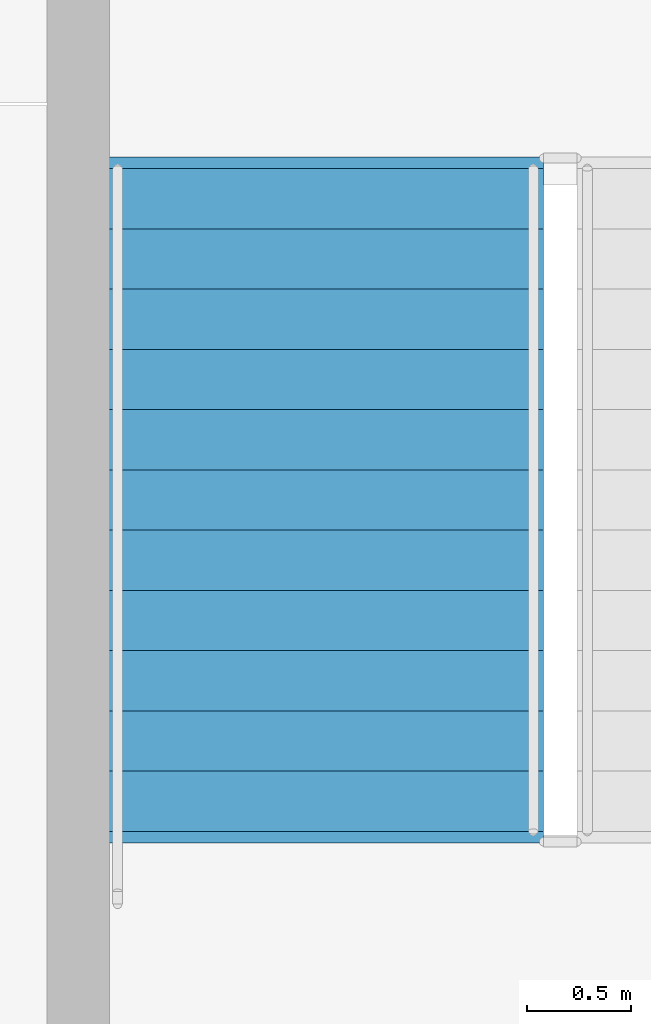
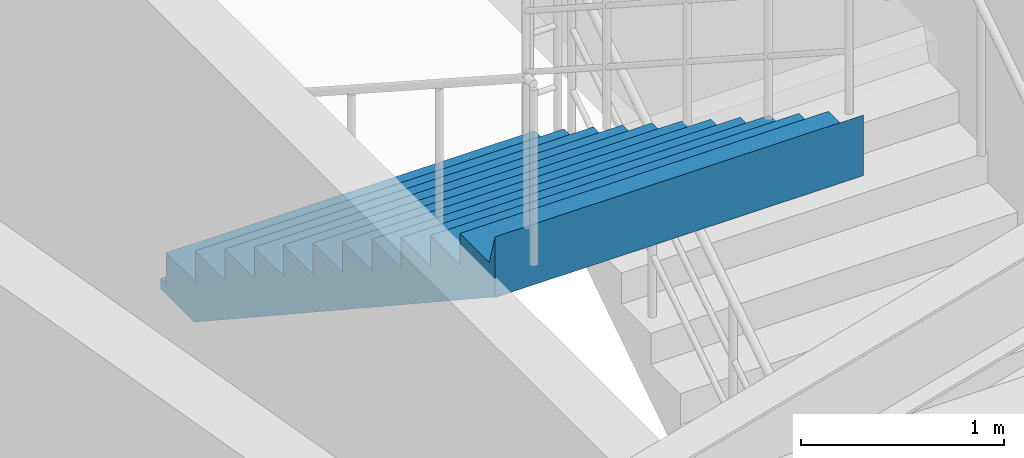
# One storey, part 94 of 112: 1 stair flight, 1 element without a shape of its own.
"""IFC4 building model written with IfcOpenShell, lengths in metres."""

import ifcopenshell
import ifcopenshell.guid

model = None  # the IFC model being written
_history = None  # IfcOwnerHistory: only IFC2X3 demands one
_inside = {}  # id of a spatial element -> (the spatial element, [elements in it])
_under = {}  # id of a project, library or spatial element -> (it, [spatial elements below it])
_declared = {}  # id of a project -> (the project, [libraries it declares])
_typed = {}  # id of a type object -> (the type object, [elements of that type])
_made_of = {}  # id of a material, layer set ... -> (it, [elements and type objects made of it])


def new_model(schema):
    """Start an empty IFC model of exactly this schema.

    Asked for "IFC4X3", IfcOpenShell would pick the latest addendum, in which some entities
    have other attributes; the version numbers below select the first issue.
    IFC2X3 requires an IfcOwnerHistory on every rooted entity: one is made here for all.
    """
    global model, _history
    if schema == "IFC4X3":
        model = ifcopenshell.file(schema_version=(4, 3, 0, 0))
    else:
        model = ifcopenshell.file(schema=schema)
    _inside.clear()
    _under.clear()
    _declared.clear()
    _typed.clear()
    _made_of.clear()
    _history = None
    if model.schema == "IFC2X3":
        org = make("IfcOrganization", Name="unknown")
        user = make(
            "IfcPersonAndOrganization",
            ThePerson=make("IfcPerson", FamilyName="unknown"),
            TheOrganization=org,
        )
        app = make(
            "IfcApplication",
            ApplicationDeveloper=org,
            Version="unknown",
            ApplicationFullName="unknown",
            ApplicationIdentifier="unknown",
        )
        _history = make(
            "IfcOwnerHistory",
            OwningUser=user,
            OwningApplication=app,
            ChangeAction="ADDED",
            CreationDate=0,
        )
    return model


def make(cls, **values):
    """One entity of the class cls with the attributes given. An attribute that is None is left unset."""
    return model.create_entity(
        cls, **{name: value for name, value in values.items() if value is not None}
    )


def rooted(cls, **values):
    """An entity with a GlobalId (a new one), such as an element, a storey or a relation."""
    return make(cls, GlobalId=ifcopenshell.guid.new(), OwnerHistory=_history, **values)


def si_unit(unit_type, name, prefix=None):
    """IfcSIUnit, for example si_unit("LENGTHUNIT", "METRE", prefix="MILLI")."""
    return make("IfcSIUnit", UnitType=unit_type, Prefix=prefix, Name=name)


def assignment(units):
    """IfcUnitAssignment: the units of a project."""
    return None if units is None else make("IfcUnitAssignment", Units=units)


def point(xyz):
    """IfcCartesianPoint."""
    return None if xyz is None else make("IfcCartesianPoint", Coordinates=xyz)


def direction(xyz):
    """IfcDirection."""
    return None if xyz is None else make("IfcDirection", DirectionRatios=xyz)


def frame(location, z_axis=None, x_axis=None):
    """IfcAxis2Placement3D, a coordinate frame: its origin and axes. An axis left out is left unset."""
    return make(
        "IfcAxis2Placement3D",
        Location=point(location),
        Axis=direction(z_axis),
        RefDirection=direction(x_axis),
    )


def origin():
    """The frame at (0, 0, 0) with its axes left unset."""
    return frame((0.0, 0.0, 0.0))


def place(relative_to, where):
    """IfcLocalPlacement: puts the frame where relative to a parent placement (None: the world)."""
    return make(
        "IfcLocalPlacement", PlacementRelTo=relative_to, RelativePlacement=where
    )


def context(
    kind, dimensions, precision=None, world=None, true_north=None, identifier=None
):
    """IfcGeometricRepresentationContext, for example the 3D "Model" context."""
    return make(
        "IfcGeometricRepresentationContext",
        ContextIdentifier=identifier,
        ContextType=kind,
        CoordinateSpaceDimension=dimensions,
        Precision=precision,
        WorldCoordinateSystem=world,
        TrueNorth=true_north,
    )


def subcontext(parent, identifier, kind, view, scale=None):
    """IfcGeometricRepresentationSubContext, for example "Body" below "Model"."""
    return make(
        "IfcGeometricRepresentationSubContext",
        ContextIdentifier=identifier,
        ContextType=kind,
        ParentContext=parent,
        TargetScale=scale,
        TargetView=view,
    )


def project(units=None, contexts=None):
    """IfcProject with its units and contexts."""
    return rooted(
        "IfcProject",
        Name="project",
        RepresentationContexts=contexts,
        UnitsInContext=assignment(units),
    )


def spatial(cls, under=None, at=None, **own):
    """A site, building, storey or space (cls), placed at a placement, below another one or the project."""
    s = rooted(cls, ObjectPlacement=at, **own)
    if under is not None:
        _under.setdefault(under.id(), (under, []))[1].append(s)
    return s


def polyline(points):
    """IfcPolyline through the points."""
    return make("IfcPolyline", Points=[point(p) for p in points])


def outline(outer, holes=None, kind="AREA"):
    """IfcArbitraryClosedProfileDef: a profile drawn as a closed curve; with holes, ...WithVoids."""
    if holes is None:
        return make("IfcArbitraryClosedProfileDef", ProfileType=kind, OuterCurve=outer)
    return make(
        "IfcArbitraryProfileDefWithVoids",
        ProfileType=kind,
        OuterCurve=outer,
        InnerCurves=holes,
    )


def extrude(swept, where, along, depth):
    """IfcExtrudedAreaSolid: the profile swept, set in the frame where, extruded along a direction by depth."""
    return make(
        "IfcExtrudedAreaSolid",
        SweptArea=swept,
        Position=where,
        ExtrudedDirection=direction(along),
        Depth=depth,
    )


def shape(context_of_items, identifier, shape_type, items):
    """IfcShapeRepresentation: the items that make up one representation, for example the "Body"."""
    return make(
        "IfcShapeRepresentation",
        ContextOfItems=context_of_items,
        RepresentationIdentifier=identifier,
        RepresentationType=shape_type,
        Items=items,
    )


def material(Name=None, Category=None):
    """IfcMaterial."""
    return make("IfcMaterial", Name=Name, Category=Category)


def made_of(thing, what):
    """Note that an element or type object is made of a material, layer set ...; save() writes the relation."""
    if what is not None:
        _made_of.setdefault(what.id(), (what, []))[1].append(thing)
    return thing


def type_object(cls, material=None, **own):
    """A type object (cls), such as IfcWallType, which elements share."""
    return made_of(rooted(cls, **own), material)


def element(
    cls,
    number,
    at=None,
    inside=None,
    cuts=None,
    type_object=None,
    material=None,
    context=None,
    identifier="Body",
    shape_type=None,
    held_by="IfcProductDefinitionShape",
    body=None,
    shapes=None,
    **own,
):
    """One element of the class cls, such as IfcWall. Its Tag is "e" and its number.

    at: its placement. inside: the storey or other place that contains it. cuts: it is an
    opening in that element (IfcRelVoidsElement). A single representation is given by context,
    identifier, shape_type and body (its items); several are given by shapes. held_by: the class
    of the entity that holds the representations. save() writes the other relations.
    """
    e = rooted(cls, Tag="e%d" % number, ObjectPlacement=at, **own)
    if body is not None:
        shapes = [shape(context, identifier, shape_type, body)]
    if shapes is not None:
        e.Representation = make(held_by, Representations=shapes)
    if inside is not None:
        _inside.setdefault(inside.id(), (inside, []))[1].append(e)
    if cuts is not None:
        rooted(
            "IfcRelVoidsElement", RelatingBuildingElement=cuts, RelatedOpeningElement=e
        )
    if type_object is not None:
        _typed.setdefault(type_object.id(), (type_object, []))[1].append(e)
    return made_of(e, material)


def aggregate(whole, parts):
    """IfcRelAggregates: a whole, such as a stair, and the parts it consists of."""
    return rooted("IfcRelAggregates", RelatingObject=whole, RelatedObjects=parts)


def save(model, path):
    """Write the relations noted so far, then the file.

    IfcRelAggregates (storeys below a building ...), IfcRelContainedInSpatialStructure (elements
    in a storey), IfcRelDefinesByType, IfcRelAssociatesMaterial and IfcRelDeclares: one each for
    every whole, place, type object, material and project.
    """
    for whole, parts in _under.values():
        aggregate(whole, parts)
    for where, things in _inside.values():
        rooted(
            "IfcRelContainedInSpatialStructure",
            RelatedElements=things,
            RelatingStructure=where,
        )
    for kind, things in _typed.values():
        rooted("IfcRelDefinesByType", RelatedObjects=things, RelatingType=kind)
    for what, things in _made_of.values():
        rooted("IfcRelAssociatesMaterial", RelatedObjects=things, RelatingMaterial=what)
    for by, libraries in _declared.values():
        rooted("IfcRelDeclares", RelatingContext=by, RelatedDefinitions=libraries)
    model.write(path)


model = new_model("IFC4")

# Units and contexts
model_context = context("Model", 3, precision=1e-05, world=origin(), true_north=direction((0.0, 1.0)))
body_context = subcontext(model_context, "Body", "Model", "MODEL_VIEW")
ifc_project = project(units=[si_unit("LENGTHUNIT", "METRE"), si_unit("AREAUNIT", "SQUARE_METRE"), si_unit("VOLUMEUNIT", "CUBIC_METRE"), si_unit("PLANEANGLEUNIT", "RADIAN"), si_unit("MASSUNIT", "GRAM", prefix="KILO")], contexts=[model_context])

# Site, building, storey
site_placement = place(None, origin())
site = spatial("IfcSite", under=ifc_project, at=site_placement, CompositionType="ELEMENT")
building_placement = place(site_placement, origin())
building = spatial("IfcBuilding", under=site, at=building_placement, Name="Cinderbank Siding Concert Hall", CompositionType="ELEMENT")
storey_placement = place(building_placement, frame((0.0, 0.0, 10.199951171875)))
storey = spatial("IfcBuildingStorey", under=building, at=storey_placement, Name="L03", CompositionType="ELEMENT", Elevation=10.199951171875)

# Stair, stair flight
ifc_material = material(Name="Reinforced concrete AS 3600 N50 (50 MPa)", Category="concrete")
stair_type = type_object("IfcStairType", Name="STR-D Dogleg Exit Stair 2100mm", PredefinedType="HALF_TURN_STAIR", material=ifc_material)
stair_placement = place(storey_placement, origin())
stair = element("IfcStair", 1, at=stair_placement, inside=storey, type_object=stair_type, Name="L03 West Drum Exit Stair ST-04", PredefinedType="HALF_TURN_STAIR")
stair_flight_type = type_object("IfcStairFlightType", Name="SFL-D Concrete Stair Flight 2100mm", PredefinedType="STRAIGHT", material=ifc_material)
stair_flight_placement = place(storey_placement, frame((98.590087890625, 43.68994140625, 2.25), z_axis=(0.0, 0.0, 1.0), x_axis=(0.0, -1.0, 0.0)))
stair_flight = element("IfcStairFlight", 2, at=stair_flight_placement, type_object=stair_flight_type, Name="ST-04 flight 2", NumberOfRisers=12, NumberOfTreads=11, PredefinedType="STRAIGHT", RiserHeight=0.1875, TreadLength=0.29, context=body_context, shape_type="SweptSolid", body=[
    extrude(outline(polyline([(0.0, 0.0), (0.0, 0.1875), (0.2900390625, 0.1875), (0.2900390625, 0.375), (0.580078125, 0.375), (0.580078125, 0.5625), (0.8701171875, 0.5625), (0.8701171875, 0.75), (1.159912109375, 0.75), (1.159912109375, 0.9375), (1.449951171875, 0.9375), (1.449951171875, 1.125), (1.739990234375, 1.125), (1.739990234375, 1.3125), (2.030029296875, 1.3125), (2.030029296875, 1.5), (2.320068359375, 1.5), (2.320068359375, 1.6875), (2.610107421875, 1.6875), (2.610107421875, 1.875), (2.89990234375, 1.875), (2.89990234375, 2.0625), (3.18994140625, 2.0625), (3.244873046875, 2.25), (3.244873046875, 1.884033203125), (3.24462890625, 1.88427734375), (3.24462890625, 1.884521484375), (3.24462890625, 1.884765625), (3.24462890625, 1.885009765625), (3.24462890625, 1.88525390625), (3.24462890625, 1.885498046875), (3.24462890625, 1.8857421875), (3.24462890625, 1.885986328125), (3.24462890625, 1.88623046875), (3.24462890625, 1.886474609375), (3.24462890625, 1.88671875), (3.24462890625, 1.886962890625), (3.244384765625, 1.886962890625), (3.244384765625, 1.88671875), (3.244384765625, 1.886474609375), (3.244384765625, 1.88623046875), (3.244384765625, 1.885986328125), (3.244384765625, 1.8857421875), (3.244384765625, 1.885498046875), (3.244384765625, 1.88525390625), (3.244384765625, 1.885009765625), (3.244384765625, 1.884765625), (3.244384765625, 1.884521484375), (3.244384765625, 1.88427734375), (3.244384765625, 1.884033203125), (3.244140625, 1.88427734375), (3.244140625, 1.884521484375), (3.244140625, 1.884765625), (3.244140625, 1.885009765625), (3.244140625, 1.88525390625), (3.244140625, 1.885498046875), (3.244140625, 1.8857421875), (3.244140625, 1.885986328125), (3.244140625, 1.88623046875), (3.244140625, 1.886474609375), (3.244140625, 1.88671875), (3.244140625, 1.886962890625), (3.243896484375, 1.886962890625), (3.243896484375, 1.88671875), (3.243896484375, 1.886474609375), (3.243896484375, 1.88623046875), (3.243896484375, 1.885986328125), (3.243896484375, 1.8857421875), (3.243896484375, 1.885498046875), (3.243896484375, 1.88525390625), (3.243896484375, 1.885009765625), (3.243896484375, 1.884765625), (3.243896484375, 1.884521484375), (3.243896484375, 1.88427734375), (3.243896484375, 1.884033203125), (3.24365234375, 1.88427734375), (3.24365234375, 1.884521484375), (3.24365234375, 1.884765625), (3.24365234375, 1.885009765625), (3.24365234375, 1.88525390625), (3.24365234375, 1.885498046875), (3.24365234375, 1.8857421875), (3.24365234375, 1.885986328125), (3.24365234375, 1.88623046875), (3.24365234375, 1.886474609375), (3.24365234375, 1.88671875), (3.24365234375, 1.886962890625), (3.243408203125, 1.886962890625), (3.243408203125, 1.88671875), (3.243408203125, 1.886474609375), (3.243408203125, 1.88623046875), (3.243408203125, 1.885986328125), (3.243408203125, 1.8857421875), (3.243408203125, 1.885498046875), (3.243408203125, 1.88525390625), (3.243408203125, 1.885009765625), (3.243408203125, 1.884765625), (3.243408203125, 1.884521484375), (3.243408203125, 1.88427734375), (3.243408203125, 1.884033203125), (3.2431640625, 1.88427734375), (3.2431640625, 1.884521484375), (3.2431640625, 1.884765625), (3.2431640625, 1.885009765625), (3.2431640625, 1.88525390625), (3.2431640625, 1.885498046875), (3.2431640625, 1.8857421875), (3.2431640625, 1.885986328125), (3.2431640625, 1.88623046875), (3.2431640625, 1.886474609375), (3.2431640625, 1.88671875), (3.2431640625, 1.886962890625), (3.242919921875, 1.886962890625), (3.242919921875, 1.88671875), (3.242919921875, 1.886474609375), (3.242919921875, 1.88623046875), (3.242919921875, 1.885986328125), (3.242919921875, 1.8857421875), (3.242919921875, 1.885498046875), (3.242919921875, 1.88525390625), (3.242919921875, 1.885009765625), (3.242919921875, 1.884765625), (3.242919921875, 1.884521484375), (3.242919921875, 1.88427734375), (3.242919921875, 1.884033203125), (3.24267578125, 1.88427734375), (3.24267578125, 1.884521484375), (3.24267578125, 1.884765625), (3.24267578125, 1.885009765625), (3.24267578125, 1.88525390625), (3.24267578125, 1.885498046875), (3.24267578125, 1.8857421875), (3.24267578125, 1.885986328125), (3.24267578125, 1.88623046875), (3.24267578125, 1.886474609375), (3.24267578125, 1.88671875), (3.24267578125, 1.886962890625), (3.242431640625, 1.886962890625), (3.242431640625, 1.88671875), (3.242431640625, 1.886474609375), (3.242431640625, 1.88623046875), (3.242431640625, 1.885986328125), (3.242431640625, 1.8857421875), (3.242431640625, 1.885498046875), (3.242431640625, 1.88525390625), (3.242431640625, 1.885009765625), (3.242431640625, 1.884765625), (3.242431640625, 1.884521484375), (3.242431640625, 1.88427734375), (3.242431640625, 1.884033203125), (3.2421875, 1.88427734375), (3.2421875, 1.884521484375), (3.2421875, 1.884765625), (3.2421875, 1.885009765625), (3.2421875, 1.88525390625), (3.2421875, 1.885498046875), (3.2421875, 1.8857421875), (3.2421875, 1.885986328125), (3.2421875, 1.88623046875), (3.2421875, 1.886474609375), (3.2421875, 1.88671875), (3.2421875, 1.886962890625), (3.241943359375, 1.886962890625), (3.241943359375, 1.88671875), (3.241943359375, 1.886474609375), (3.241943359375, 1.88623046875), (3.241943359375, 1.885986328125), (3.241943359375, 1.8857421875), (3.241943359375, 1.885498046875), (3.241943359375, 1.88525390625), (3.241943359375, 1.885009765625), (3.241943359375, 1.884765625), (3.241943359375, 1.884521484375), (3.241943359375, 1.88427734375), (3.241943359375, 1.884033203125), (3.24169921875, 1.88427734375), (3.24169921875, 1.884521484375), (3.24169921875, 1.884765625), (3.24169921875, 1.885009765625), (3.24169921875, 1.88525390625), (3.24169921875, 1.885498046875), (3.24169921875, 1.8857421875), (3.24169921875, 1.885986328125), (3.24169921875, 1.88623046875), (3.24169921875, 1.886474609375), (3.24169921875, 1.88671875), (3.24169921875, 1.886962890625), (3.241455078125, 1.886962890625), (3.241455078125, 1.88671875), (3.241455078125, 1.886474609375), (3.241455078125, 1.88623046875), (3.241455078125, 1.885986328125), (3.241455078125, 1.8857421875), (3.241455078125, 1.885498046875), (3.241455078125, 1.88525390625), (3.241455078125, 1.885009765625), (3.241455078125, 1.884765625), (3.241455078125, 1.884521484375), (3.241455078125, 1.88427734375), (3.241455078125, 1.884033203125), (3.2412109375, 1.88427734375), (3.2412109375, 1.884521484375), (3.2412109375, 1.884765625), (3.2412109375, 1.885009765625), (3.2412109375, 1.88525390625), (3.2412109375, 1.885498046875), (3.2412109375, 1.8857421875), (3.2412109375, 1.885986328125), (3.2412109375, 1.88623046875), (3.2412109375, 1.886474609375), (3.2412109375, 1.88671875), (3.2412109375, 1.886962890625), (3.240966796875, 1.886962890625), (3.240966796875, 1.88671875), (3.240966796875, 1.886474609375), (3.240966796875, 1.88623046875), (3.240966796875, 1.885986328125), (3.240966796875, 1.8857421875), (3.240966796875, 1.885498046875), (3.240966796875, 1.88525390625), (3.240966796875, 1.885009765625), (3.240966796875, 1.884765625), (3.240966796875, 1.884521484375), (3.240966796875, 1.88427734375), (3.240966796875, 1.884033203125), (3.24072265625, 1.88427734375), (3.24072265625, 1.884521484375), (3.24072265625, 1.884765625), (3.24072265625, 1.885009765625), (3.24072265625, 1.88525390625), (3.24072265625, 1.885498046875), (3.24072265625, 1.8857421875), (3.24072265625, 1.885986328125), (3.24072265625, 1.88623046875), (3.24072265625, 1.886474609375), (3.24072265625, 1.88671875), (3.24072265625, 1.886962890625), (3.240478515625, 1.886962890625), (3.240478515625, 1.88671875), (3.240478515625, 1.886474609375), (3.240478515625, 1.88623046875), (3.240478515625, 1.885986328125), (3.240478515625, 1.8857421875), (3.240478515625, 1.885498046875), (3.240478515625, 1.88525390625), (3.240478515625, 1.885009765625), (3.240478515625, 1.884765625), (3.240478515625, 1.884521484375), (3.240478515625, 1.88427734375), (3.240478515625, 1.884033203125), (3.240234375, 1.88427734375), (3.240234375, 1.884521484375), (3.240234375, 1.884765625), (3.240234375, 1.885009765625), (3.240234375, 1.88525390625), (3.240234375, 1.885498046875), (3.240234375, 1.8857421875), (3.240234375, 1.885986328125), (3.240234375, 1.88623046875), (3.240234375, 1.886474609375), (3.240234375, 1.88671875), (3.240234375, 1.886962890625), (3.239990234375, 1.886962890625), (3.239990234375, 1.88671875), (3.239990234375, 1.886474609375), (3.239990234375, 1.88623046875), (3.239990234375, 1.885986328125), (3.239990234375, 1.8857421875), (3.239990234375, 1.885498046875), (3.239990234375, 1.88525390625), (3.239990234375, 1.885009765625), (3.239990234375, 1.884765625), (3.239990234375, 1.884521484375), (3.239990234375, 1.88427734375), (3.239990234375, 1.884033203125), (3.23974609375, 1.88427734375), (3.23974609375, 1.884521484375), (3.23974609375, 1.884765625), (3.23974609375, 1.885009765625), (3.23974609375, 1.88525390625), (3.23974609375, 1.885498046875), (3.23974609375, 1.8857421875), (3.23974609375, 1.885986328125), (3.23974609375, 1.88623046875), (3.23974609375, 1.886474609375), (3.23974609375, 1.88671875), (3.23974609375, 1.886962890625), (3.239501953125, 1.886962890625), (3.239501953125, 1.88671875), (3.239501953125, 1.886474609375), (3.239501953125, 1.88623046875), (3.239501953125, 1.885986328125), (3.239501953125, 1.8857421875), (3.239501953125, 1.885498046875), (3.239501953125, 1.88525390625), (3.239501953125, 1.885009765625), (3.239501953125, 1.884765625), (3.239501953125, 1.884521484375), (3.239501953125, 1.88427734375), (3.239501953125, 1.884033203125), (3.2392578125, 1.88427734375), (3.2392578125, 1.884521484375), (3.2392578125, 1.884765625), (3.2392578125, 1.885009765625), (3.2392578125, 1.88525390625), (3.2392578125, 1.885498046875), (3.2392578125, 1.8857421875), (3.2392578125, 1.885986328125), (3.2392578125, 1.88623046875), (3.2392578125, 1.886474609375), (3.2392578125, 1.88671875), (3.2392578125, 1.886962890625), (3.239013671875, 1.886962890625), (3.239013671875, 1.88671875), (3.239013671875, 1.886474609375), (3.239013671875, 1.88623046875), (3.239013671875, 1.885986328125), (3.239013671875, 1.8857421875), (3.239013671875, 1.885498046875), (3.239013671875, 1.88525390625), (3.239013671875, 1.885009765625), (3.239013671875, 1.884765625), (3.239013671875, 1.884521484375), (3.239013671875, 1.88427734375), (3.239013671875, 1.884033203125), (3.23876953125, 1.88427734375), (3.23876953125, 1.884521484375), (3.23876953125, 1.884765625), (3.23876953125, 1.885009765625), (3.23876953125, 1.88525390625), (3.23876953125, 1.885498046875), (3.23876953125, 1.8857421875), (3.23876953125, 1.885986328125), (3.23876953125, 1.88623046875), (3.23876953125, 1.886474609375), (3.23876953125, 1.88671875), (3.23876953125, 1.886962890625), (3.238525390625, 1.886962890625), (3.238525390625, 1.88671875), (3.238525390625, 1.886474609375), (3.238525390625, 1.88623046875), (3.238525390625, 1.885986328125), (3.238525390625, 1.8857421875), (3.238525390625, 1.885498046875), (3.238525390625, 1.88525390625), (3.238525390625, 1.885009765625), (3.238525390625, 1.884765625), (3.238525390625, 1.884521484375), (3.238525390625, 1.88427734375), (3.238525390625, 1.884033203125), (0.276123046875, -0.06396484375), (-0.048583984375, -0.063720703125), (-0.048583984375, -0.0634765625), (-0.048583984375, -0.063232421875), (-0.048583984375, -0.06298828125), (-0.048583984375, -0.062744140625), (-0.048583984375, -0.0625), (-0.048583984375, -0.062255859375), (-0.048583984375, -0.06201171875), (-0.048583984375, -0.061767578125), (-0.048583984375, -0.0615234375), (-0.048583984375, -0.061279296875), (-0.048583984375, -0.06103515625), (-0.048828125, -0.06103515625), (-0.048828125, -0.061279296875), (-0.048828125, -0.0615234375), (-0.048828125, -0.061767578125), (-0.048828125, -0.06201171875), (-0.048828125, -0.062255859375), (-0.048828125, -0.0625), (-0.048828125, -0.062744140625), (-0.048828125, -0.06298828125), (-0.048828125, -0.063232421875), (-0.048828125, -0.0634765625), (-0.048828125, -0.063720703125), (-0.048828125, -0.06396484375), (-0.049072265625, -0.063720703125), (-0.049072265625, -0.0634765625), (-0.049072265625, -0.063232421875), (-0.049072265625, -0.06298828125), (-0.049072265625, -0.062744140625), (-0.049072265625, -0.0625), (-0.049072265625, -0.062255859375), (-0.049072265625, -0.06201171875), (-0.049072265625, -0.061767578125), (-0.049072265625, -0.0615234375), (-0.049072265625, -0.061279296875), (-0.049072265625, -0.06103515625), (-0.04931640625, -0.06103515625), (-0.04931640625, -0.061279296875), (-0.04931640625, -0.0615234375), (-0.04931640625, -0.061767578125), (-0.04931640625, -0.06201171875), (-0.04931640625, -0.062255859375), (-0.04931640625, -0.0625), (-0.04931640625, -0.062744140625), (-0.04931640625, -0.06298828125), (-0.04931640625, -0.063232421875), (-0.04931640625, -0.0634765625), (-0.04931640625, -0.063720703125), (-0.04931640625, -0.06396484375), (-0.049560546875, -0.063720703125), (-0.049560546875, -0.0634765625), (-0.049560546875, -0.063232421875), (-0.049560546875, -0.06298828125), (-0.049560546875, -0.062744140625), (-0.049560546875, -0.0625), (-0.049560546875, -0.062255859375), (-0.049560546875, -0.06201171875), (-0.049560546875, -0.061767578125), (-0.049560546875, -0.0615234375), (-0.049560546875, -0.061279296875), (-0.049560546875, -0.06103515625), (-0.0498046875, -0.06103515625), (-0.0498046875, -0.061279296875), (-0.0498046875, -0.0615234375), (-0.0498046875, -0.061767578125), (-0.0498046875, -0.06201171875), (-0.0498046875, -0.062255859375), (-0.0498046875, -0.0625), (-0.0498046875, -0.062744140625), (-0.0498046875, -0.06298828125), (-0.0498046875, -0.063232421875), (-0.0498046875, -0.0634765625), (-0.0498046875, -0.063720703125), (-0.0498046875, -0.06396484375), (-0.050048828125, -0.063720703125), (-0.050048828125, -0.0634765625), (-0.050048828125, -0.063232421875), (-0.050048828125, -0.06298828125), (-0.050048828125, -0.062744140625), (-0.050048828125, -0.0625), (-0.050048828125, -0.062255859375), (-0.050048828125, -0.06201171875), (-0.050048828125, -0.061767578125), (-0.050048828125, -0.0615234375), (-0.050048828125, -0.061279296875), (-0.050048828125, -0.06103515625), (-0.05029296875, -0.06103515625), (-0.05029296875, -0.061279296875), (-0.05029296875, -0.0615234375), (-0.05029296875, -0.061767578125), (-0.05029296875, -0.06201171875), (-0.05029296875, -0.062255859375), (-0.05029296875, -0.0625), (-0.05029296875, -0.062744140625), (-0.05029296875, -0.06298828125), (-0.05029296875, -0.063232421875), (-0.05029296875, -0.0634765625), (-0.05029296875, -0.063720703125), (-0.05029296875, -0.06396484375), (-0.050537109375, -0.063720703125), (-0.050537109375, -0.0634765625), (-0.050537109375, -0.063232421875), (-0.050537109375, -0.06298828125), (-0.050537109375, -0.062744140625), (-0.050537109375, -0.0625), (-0.050537109375, -0.062255859375), (-0.050537109375, -0.06201171875), (-0.050537109375, -0.061767578125), (-0.050537109375, -0.0615234375), (-0.050537109375, -0.061279296875), (-0.050537109375, -0.06103515625), (-0.05078125, -0.06103515625), (-0.05078125, -0.061279296875), (-0.05078125, -0.0615234375), (-0.05078125, -0.061767578125), (-0.05078125, -0.06201171875), (-0.05078125, -0.062255859375), (-0.05078125, -0.0625), (-0.05078125, -0.062744140625), (-0.05078125, -0.06298828125), (-0.05078125, -0.063232421875), (-0.05078125, -0.0634765625), (-0.05078125, -0.063720703125), (-0.05078125, -0.06396484375), (-0.051025390625, -0.063720703125), (-0.051025390625, -0.0634765625), (-0.051025390625, -0.063232421875), (-0.051025390625, -0.06298828125), (-0.051025390625, -0.062744140625), (-0.051025390625, -0.0625), (-0.051025390625, -0.062255859375), (-0.051025390625, -0.06201171875), (-0.051025390625, -0.061767578125), (-0.051025390625, -0.0615234375), (-0.051025390625, -0.061279296875), (-0.051025390625, -0.06103515625), (-0.05126953125, -0.06103515625), (-0.05126953125, -0.061279296875), (-0.05126953125, -0.0615234375), (-0.05126953125, -0.061767578125), (-0.05126953125, -0.06201171875), (-0.05126953125, -0.062255859375), (-0.05126953125, -0.0625), (-0.05126953125, -0.062744140625), (-0.05126953125, -0.06298828125), (-0.05126953125, -0.063232421875), (-0.05126953125, -0.0634765625), (-0.05126953125, -0.063720703125), (-0.05126953125, -0.06396484375), (-0.051513671875, -0.063720703125), (-0.051513671875, -0.0634765625), (-0.051513671875, -0.063232421875), (-0.051513671875, -0.06298828125), (-0.051513671875, -0.062744140625), (-0.051513671875, -0.0625), (-0.051513671875, -0.062255859375), (-0.051513671875, -0.06201171875), (-0.051513671875, -0.061767578125), (-0.051513671875, -0.0615234375), (-0.051513671875, -0.061279296875), (-0.051513671875, -0.06103515625), (-0.0517578125, -0.06103515625), (-0.0517578125, -0.061279296875), (-0.0517578125, -0.0615234375), (-0.0517578125, -0.061767578125), (-0.0517578125, -0.06201171875), (-0.0517578125, -0.062255859375), (-0.0517578125, -0.0625), (-0.0517578125, -0.062744140625), (-0.0517578125, -0.06298828125), (-0.0517578125, -0.063232421875), (-0.0517578125, -0.0634765625), (-0.0517578125, -0.063720703125), (-0.0517578125, -0.06396484375), (-0.052001953125, -0.063720703125), (-0.052001953125, -0.0634765625), (-0.052001953125, -0.063232421875), (-0.052001953125, -0.06298828125), (-0.052001953125, -0.062744140625), (-0.052001953125, -0.0625), (-0.052001953125, -0.062255859375), (-0.052001953125, -0.06201171875), (-0.052001953125, -0.061767578125), (-0.052001953125, -0.0615234375), (-0.052001953125, -0.061279296875), (-0.052001953125, -0.06103515625), (-0.05224609375, -0.06103515625), (-0.05224609375, -0.061279296875), (-0.05224609375, -0.0615234375), (-0.05224609375, -0.061767578125), (-0.05224609375, -0.06201171875), (-0.05224609375, -0.062255859375), (-0.05224609375, -0.0625), (-0.05224609375, -0.062744140625), (-0.05224609375, -0.06298828125), (-0.05224609375, -0.063232421875), (-0.05224609375, -0.0634765625), (-0.05224609375, -0.063720703125), (-0.05224609375, -0.06396484375), (-0.052490234375, -0.063720703125), (-0.052490234375, -0.0634765625), (-0.052490234375, -0.063232421875), (-0.052490234375, -0.06298828125), (-0.052490234375, -0.062744140625), (-0.052490234375, -0.0625), (-0.052490234375, -0.062255859375), (-0.052490234375, -0.06201171875), (-0.052490234375, -0.061767578125), (-0.052490234375, -0.0615234375), (-0.052490234375, -0.061279296875), (-0.052490234375, -0.06103515625), (-0.052734375, -0.06103515625), (-0.052734375, -0.061279296875), (-0.052734375, -0.0615234375), (-0.052734375, -0.061767578125), (-0.052734375, -0.06201171875), (-0.052734375, -0.062255859375), (-0.052734375, -0.0625), (-0.052734375, -0.062744140625), (-0.052734375, -0.06298828125), (-0.052734375, -0.063232421875), (-0.052734375, -0.0634765625), (-0.052734375, -0.063720703125), (-0.052734375, -0.06396484375), (-0.052978515625, -0.063720703125), (-0.052978515625, -0.0634765625), (-0.052978515625, -0.063232421875), (-0.052978515625, -0.06298828125), (-0.052978515625, -0.062744140625), (-0.052978515625, -0.0625), (-0.052978515625, -0.062255859375), (-0.052978515625, -0.06201171875), (-0.052978515625, -0.061767578125), (-0.052978515625, -0.0615234375), (-0.052978515625, -0.061279296875), (-0.052978515625, -0.06103515625), (-0.05322265625, -0.06103515625), (-0.05322265625, -0.061279296875), (-0.05322265625, -0.0615234375), (-0.05322265625, -0.061767578125), (-0.05322265625, -0.06201171875), (-0.05322265625, -0.062255859375), (-0.05322265625, -0.0625), (-0.05322265625, -0.062744140625), (-0.05322265625, -0.06298828125), (-0.05322265625, -0.063232421875), (-0.05322265625, -0.0634765625), (-0.05322265625, -0.063720703125), (-0.05322265625, -0.06396484375), (-0.053466796875, -0.063720703125), (-0.053466796875, -0.0634765625), (-0.053466796875, -0.063232421875), (-0.053466796875, -0.06298828125), (-0.053466796875, -0.062744140625), (-0.053466796875, -0.0625), (-0.053466796875, -0.062255859375), (-0.053466796875, -0.06201171875), (-0.053466796875, -0.061767578125), (-0.053466796875, -0.0615234375), (-0.053466796875, -0.061279296875), (-0.053466796875, -0.06103515625), (-0.0537109375, -0.06103515625), (-0.0537109375, -0.061279296875), (-0.0537109375, -0.0615234375), (-0.0537109375, -0.061767578125), (-0.0537109375, -0.06201171875), (-0.0537109375, -0.062255859375), (-0.0537109375, -0.0625), (-0.0537109375, -0.062744140625), (-0.0537109375, -0.06298828125), (-0.0537109375, -0.063232421875), (-0.0537109375, -0.0634765625), (-0.0537109375, -0.063720703125), (-0.0537109375, -0.06396484375), (-0.053955078125, -0.063720703125), (-0.053955078125, -0.0634765625), (-0.053955078125, -0.063232421875), (-0.053955078125, -0.06298828125), (-0.053955078125, -0.062744140625), (-0.053955078125, -0.0625), (-0.053955078125, -0.062255859375), (-0.053955078125, -0.06201171875), (-0.053955078125, -0.061767578125), (-0.053955078125, -0.0615234375), (-0.053955078125, -0.061279296875), (-0.053955078125, -0.06103515625), (-0.05419921875, -0.06103515625), (-0.05419921875, -0.061279296875), (-0.05419921875, -0.0615234375), (-0.05419921875, -0.061767578125), (-0.05419921875, -0.06201171875), (-0.05419921875, -0.062255859375), (-0.05419921875, -0.0625), (-0.05419921875, -0.062744140625), (-0.05419921875, -0.06298828125), (-0.05419921875, -0.063232421875), (-0.05419921875, -0.0634765625), (-0.05419921875, -0.063720703125), (-0.05419921875, -0.06396484375), (-0.054443359375, -0.063720703125), (-0.054443359375, -0.0634765625), (-0.054443359375, -0.063232421875), (-0.054443359375, -0.06298828125), (-0.054443359375, -0.062744140625), (-0.054443359375, -0.0625), (-0.054443359375, -0.062255859375), (-0.054443359375, -0.06201171875), (-0.054443359375, -0.061767578125), (-0.054443359375, -0.0615234375), (-0.054443359375, -0.061279296875), (-0.054443359375, -0.06103515625), (-0.0546875, -0.06103515625), (-0.0546875, -0.061279296875), (-0.0546875, -0.0615234375), (-0.0546875, -0.061767578125), (-0.0546875, -0.06201171875), (-0.0546875, -0.062255859375), (-0.0546875, -0.0625), (-0.0546875, -0.062744140625), (-0.0546875, -0.06298828125), (-0.0546875, -0.063232421875), (-0.0546875, -0.0634765625), (-0.0546875, -0.063720703125), (-0.0546875, -0.06396484375), (-0.054931640625, -0.06396484375), (-0.054931640625, 0.0), (0.0, 0.0)])), frame((0.0, 1.050048828125, 0.0), z_axis=(0.0, -1.0, 0.0), x_axis=(1.0, 0.0, 0.0)), (0.0, 0.0, 1.0), 2.10009765625),
])
aggregate(stair, [stair_flight])

save(model, "model.ifc")
